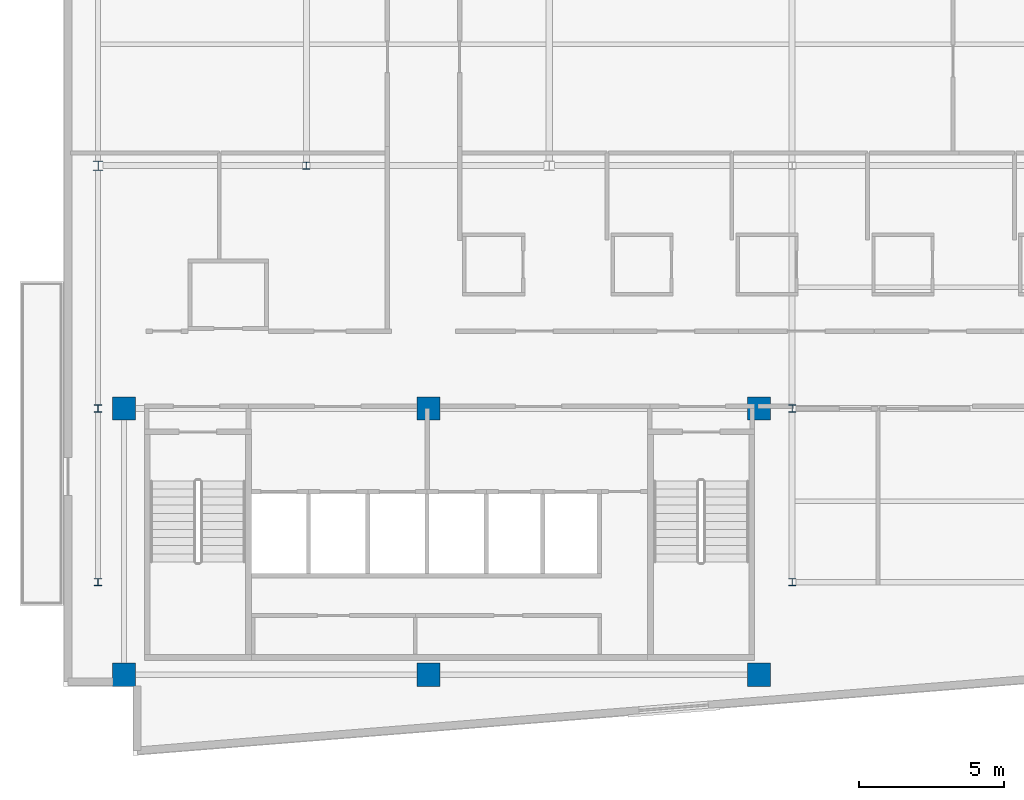
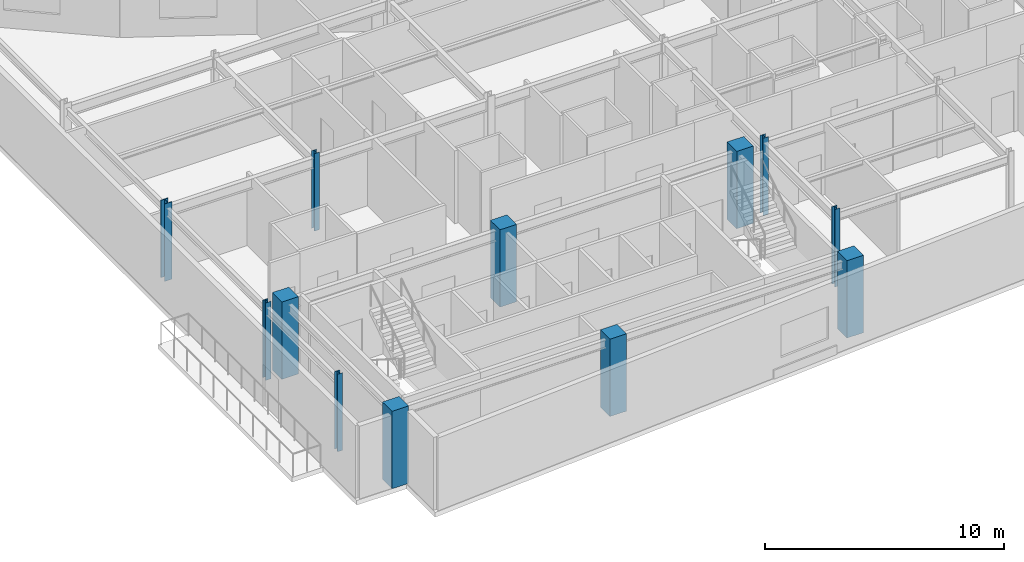
# One storey, part 1 of 16: 12 columns.
"""IFC4 building model written with IfcOpenShell, lengths in metres."""

from ifc_helpers import new_model, si_unit, direction, frame, origin, origin_2d, place, context, subcontext, project, spatial, rectangle, i_section, extrude, material, material_profile, profile_set, type_object, element, save


model = new_model("IFC4")

# Units and contexts
model_context = context("Model", 3, precision=1e-05, world=origin(), true_north=direction((0.0, 1.0)))
body_context = subcontext(model_context, "Body", "Model", "MODEL_VIEW")
ifc_project = project(units=[si_unit("LENGTHUNIT", "METRE"), si_unit("AREAUNIT", "SQUARE_METRE"), si_unit("VOLUMEUNIT", "CUBIC_METRE"), si_unit("PLANEANGLEUNIT", "RADIAN"), si_unit("MASSUNIT", "GRAM", prefix="KILO")], contexts=[model_context])

# Site, building, storey
site_placement = place(None, origin())
site = spatial("IfcSite", under=ifc_project, at=site_placement, CompositionType="ELEMENT")
building_placement = place(site_placement, origin())
building = spatial("IfcBuilding", under=site, at=building_placement, Name="Varnakote Quay Hospital", CompositionType="ELEMENT")
storey_placement = place(building_placement, frame((0.0, 0.0, 260.5)))
storey = spatial("IfcBuildingStorey", under=building, at=storey_placement, Name="L64", CompositionType="ELEMENT", Elevation=260.5)

# Columns
ifc_material_1 = material(Name="Concrete N50 (f'c 50 MPa)", Category="concrete")
ifc_material_profile_1 = material_profile(ifc_material_1, rectangle(XDim=0.800048828125, YDim=0.800048828125, at=origin_2d()), Name="RC-COL-800x800")
ifc_profile_set_1 = profile_set([ifc_material_profile_1], Name="Concrete N50 (f'c 50 MPa)")
column_type_1 = type_object("IfcColumnType", Name="COL-RC-800", PredefinedType="COLUMN", material=ifc_profile_set_1)
for number, where, z_axis, x_axis, name in (
    (1, (2.10009765625, 2.800048828125, 0.0), (0.0, 0.0, 1.0), (1.0, 0.0, 0.0), "L64 Structural Column C-2-3"),
    (2, (12.6201171875, 2.800048828125, 0.0), (0.0, 0.0, 1.0), (1.0, 0.0, 0.0), "L64 Structural Column C-13-3"),
    (3, (24.050048828125, 2.800048828125, 0.0), (0.0, 0.0, 1.0), (1.0, 0.0, 0.0), "L64 Structural Column C-24-3"),
    (4, (2.10009765625, 12.0, 0.0), (0.0, 0.0, 1.0), (1.0, 0.0, 0.0), "L64 Structural Column C-2-12"),
    (5, (12.6201171875, 12.0, 0.0), (0.0, 0.0, 1.0), (1.0, 0.0, 0.0), "L64 Structural Column C-13-12"),
    (6, (24.050048828125, 12.0, 0.0), (0.0, 0.0, 1.0), (1.0, 0.0, 0.0), "L64 Structural Column C-24-12"),
):
    element("IfcColumn", number, at=place(storey_placement, frame(where, z_axis=z_axis, x_axis=x_axis)), inside=storey, type_object=column_type_1, Name=name, PredefinedType="COLUMN", context=body_context, shape_type="SweptSolid", body=[
        extrude(rectangle(XDim=0.800048828125, YDim=0.800048828125, at=origin_2d()), origin(), (0.0, 0.0, 1.0), 3.949951171875),
    ])
ifc_material_2 = material(Name="Structural steel AS/NZS 3679.1 Grade 350 L0 (fy 340 MPa)", Category="steel")
ifc_material_profile_2 = material_profile(ifc_material_2, i_section(OverallWidth=0.25390625, OverallDepth=0.25390625, WebThickness=0.008544921875, FlangeThickness=0.01416015625, FilletRadius=0.0126953125, at=origin_2d()), Name="250UC72.9")
ifc_profile_set_2 = profile_set([ifc_material_profile_2], Name="Structural steel AS/NZS 3679.1 Grade 350 L0 (fy 340 MPa)")
column_type_2 = type_object("IfcColumnType", Name="COL-STL-250UC72-9", PredefinedType="COLUMN", material=ifc_profile_set_2)
for number, where, z_axis, x_axis, name in (
    (7, (1.199951171875, 6.0, 0.0), (0.0, 0.0, 1.0), (1.0, 0.0, 0.0), "L64 Structural Column C-1-6"),
    (8, (25.199951171875, 6.0, 0.0), (0.0, 0.0, 1.0), (1.0, 0.0, 0.0), "L64 Structural Column C-25-6"),
    (9, (1.199951171875, 12.0, 0.0), (0.0, 0.0, 1.0), (1.0, 0.0, 0.0), "L64 Structural Column C-1-12"),
    (10, (25.199951171875, 12.0, 0.0), (0.0, 0.0, 1.0), (1.0, 0.0, 0.0), "L64 Structural Column C-25-12"),
    (11, (8.39990234375, 20.39990234375, 0.0), (0.0, 0.0, 1.0), (1.0, 0.0, 0.0), "L64 Structural Column C-8-20"),
):
    element("IfcColumn", number, at=place(storey_placement, frame(where, z_axis=z_axis, x_axis=x_axis)), inside=storey, type_object=column_type_2, Name=name, PredefinedType="COLUMN", context=body_context, shape_type="SweptSolid", body=[
        extrude(i_section(OverallWidth=0.25390625, OverallDepth=0.25390625, WebThickness=0.008544921875, FlangeThickness=0.01416015625, FilletRadius=0.0126953125, at=origin_2d()), origin(), (0.0, 0.0, 1.0), 3.949951171875),
    ])
ifc_material_3 = material(Name="Structural steel AS/NZS 3678 Grade 350 (fy 340 MPa)", Category="steel")
ifc_material_profile_3 = material_profile(ifc_material_3, i_section(OverallWidth=0.35009765625, OverallDepth=0.340087890625, WebThickness=0.01611328125, FlangeThickness=0.028076171875, at=origin_2d()), Name="350WC197")
ifc_profile_set_3 = profile_set([ifc_material_profile_3], Name="Structural steel AS/NZS 3678 Grade 350 (fy 340 MPa)")
column_type_3 = type_object("IfcColumnType", Name="COL-STL-350WC197", PredefinedType="COLUMN", material=ifc_profile_set_3)
column_placement = place(storey_placement, frame((1.199951171875, 20.39990234375, 0.0), z_axis=(0.0, 0.0, 1.0), x_axis=(1.0, 0.0, 0.0)))
element("IfcColumn", 12, at=column_placement, inside=storey, type_object=column_type_3, Name="L64 Structural Column C-1-20", PredefinedType="COLUMN", context=body_context, shape_type="SweptSolid", body=[
    extrude(i_section(OverallWidth=0.35009765625, OverallDepth=0.340087890625, WebThickness=0.01611328125, FlangeThickness=0.028076171875, at=origin_2d()), origin(), (0.0, 0.0, 1.0), 3.949951171875),
])

save(model, "model.ifc")
